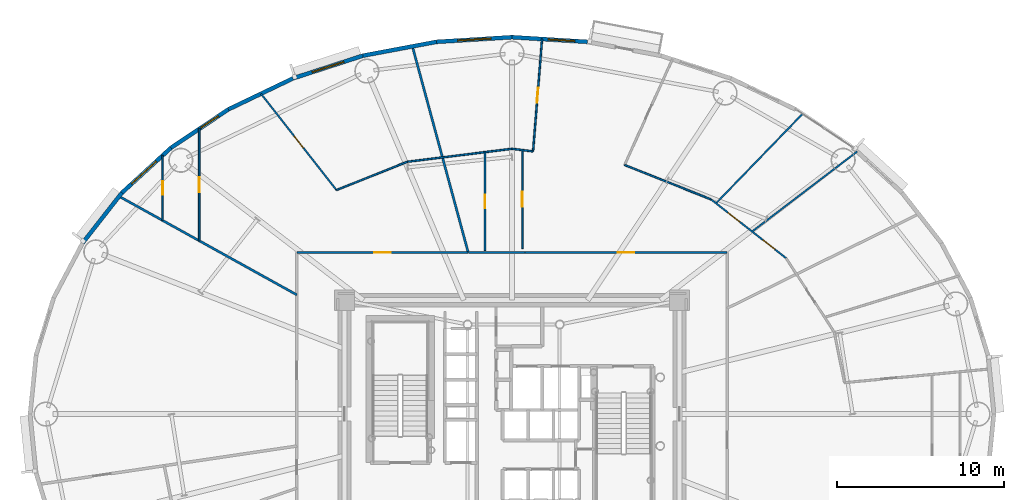
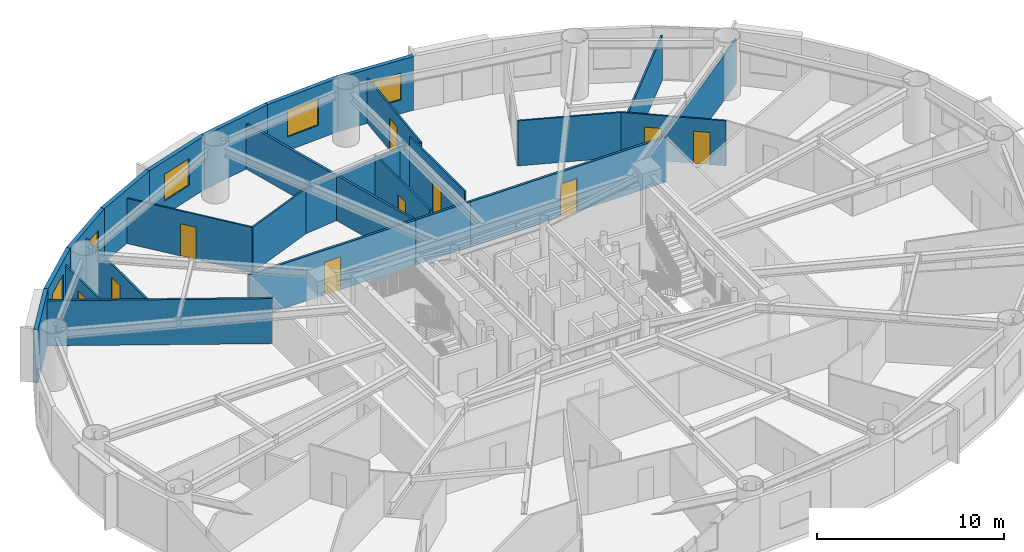
# One storey, part 15 of 21: 26 walls, 10 doors, 5 windows, 15 openings.
"""IFC4 building model written with IfcOpenShell, lengths in metres."""

import ifcopenshell
import ifcopenshell.guid

model = None  # the IFC model being written
_history = None  # IfcOwnerHistory: only IFC2X3 demands one
_inside = {}  # id of a spatial element -> (the spatial element, [elements in it])
_under = {}  # id of a project, library or spatial element -> (it, [spatial elements below it])
_declared = {}  # id of a project -> (the project, [libraries it declares])
_typed = {}  # id of a type object -> (the type object, [elements of that type])
_made_of = {}  # id of a material, layer set ... -> (it, [elements and type objects made of it])


def new_model(schema):
    """Start an empty IFC model of exactly this schema.

    Asked for "IFC4X3", IfcOpenShell would pick the latest addendum, in which some entities
    have other attributes; the version numbers below select the first issue.
    IFC2X3 requires an IfcOwnerHistory on every rooted entity: one is made here for all.
    """
    global model, _history
    if schema == "IFC4X3":
        model = ifcopenshell.file(schema_version=(4, 3, 0, 0))
    else:
        model = ifcopenshell.file(schema=schema)
    _inside.clear()
    _under.clear()
    _declared.clear()
    _typed.clear()
    _made_of.clear()
    _history = None
    if model.schema == "IFC2X3":
        org = make("IfcOrganization", Name="unknown")
        user = make(
            "IfcPersonAndOrganization",
            ThePerson=make("IfcPerson", FamilyName="unknown"),
            TheOrganization=org,
        )
        app = make(
            "IfcApplication",
            ApplicationDeveloper=org,
            Version="unknown",
            ApplicationFullName="unknown",
            ApplicationIdentifier="unknown",
        )
        _history = make(
            "IfcOwnerHistory",
            OwningUser=user,
            OwningApplication=app,
            ChangeAction="ADDED",
            CreationDate=0,
        )
    return model


def make(cls, **values):
    """One entity of the class cls with the attributes given. An attribute that is None is left unset."""
    return model.create_entity(
        cls, **{name: value for name, value in values.items() if value is not None}
    )


def rooted(cls, **values):
    """An entity with a GlobalId (a new one), such as an element, a storey or a relation."""
    return make(cls, GlobalId=ifcopenshell.guid.new(), OwnerHistory=_history, **values)


def si_unit(unit_type, name, prefix=None):
    """IfcSIUnit, for example si_unit("LENGTHUNIT", "METRE", prefix="MILLI")."""
    return make("IfcSIUnit", UnitType=unit_type, Prefix=prefix, Name=name)


def assignment(units):
    """IfcUnitAssignment: the units of a project."""
    return None if units is None else make("IfcUnitAssignment", Units=units)


def point(xyz):
    """IfcCartesianPoint."""
    return None if xyz is None else make("IfcCartesianPoint", Coordinates=xyz)


def direction(xyz):
    """IfcDirection."""
    return None if xyz is None else make("IfcDirection", DirectionRatios=xyz)


def frame(location, z_axis=None, x_axis=None):
    """IfcAxis2Placement3D, a coordinate frame: its origin and axes. An axis left out is left unset."""
    return make(
        "IfcAxis2Placement3D",
        Location=point(location),
        Axis=direction(z_axis),
        RefDirection=direction(x_axis),
    )


def frame_2d(location, x_axis=None):
    """IfcAxis2Placement2D, a coordinate frame in the plane: its origin and x axis."""
    return make(
        "IfcAxis2Placement2D", Location=point(location), RefDirection=direction(x_axis)
    )


def origin():
    """The frame at (0, 0, 0) with its axes left unset."""
    return frame((0.0, 0.0, 0.0))


def origin_2d():
    """The frame at (0, 0) in the plane with its x axis left unset."""
    return frame_2d((0.0, 0.0))


def place(relative_to, where):
    """IfcLocalPlacement: puts the frame where relative to a parent placement (None: the world)."""
    return make(
        "IfcLocalPlacement", PlacementRelTo=relative_to, RelativePlacement=where
    )


def context(
    kind, dimensions, precision=None, world=None, true_north=None, identifier=None
):
    """IfcGeometricRepresentationContext, for example the 3D "Model" context."""
    return make(
        "IfcGeometricRepresentationContext",
        ContextIdentifier=identifier,
        ContextType=kind,
        CoordinateSpaceDimension=dimensions,
        Precision=precision,
        WorldCoordinateSystem=world,
        TrueNorth=true_north,
    )


def subcontext(parent, identifier, kind, view, scale=None):
    """IfcGeometricRepresentationSubContext, for example "Body" below "Model"."""
    return make(
        "IfcGeometricRepresentationSubContext",
        ContextIdentifier=identifier,
        ContextType=kind,
        ParentContext=parent,
        TargetScale=scale,
        TargetView=view,
    )


def project(units=None, contexts=None):
    """IfcProject with its units and contexts."""
    return rooted(
        "IfcProject",
        Name="project",
        RepresentationContexts=contexts,
        UnitsInContext=assignment(units),
    )


def spatial(cls, under=None, at=None, **own):
    """A site, building, storey or space (cls), placed at a placement, below another one or the project."""
    s = rooted(cls, ObjectPlacement=at, **own)
    if under is not None:
        _under.setdefault(under.id(), (under, []))[1].append(s)
    return s


def profile(cls, at=None, kind="AREA", **sizes):
    """A parametric profile (cls). Its sizes go by their IFC names, for example OverallWidth=200.0."""
    return make(cls, ProfileType=kind, Position=at, **sizes)


def rectangle(**sizes):
    """IfcRectangleProfileDef."""
    return profile("IfcRectangleProfileDef", **sizes)


def extrude(swept, where, along, depth):
    """IfcExtrudedAreaSolid: the profile swept, set in the frame where, extruded along a direction by depth."""
    return make(
        "IfcExtrudedAreaSolid",
        SweptArea=swept,
        Position=where,
        ExtrudedDirection=direction(along),
        Depth=depth,
    )


def shape(context_of_items, identifier, shape_type, items):
    """IfcShapeRepresentation: the items that make up one representation, for example the "Body"."""
    return make(
        "IfcShapeRepresentation",
        ContextOfItems=context_of_items,
        RepresentationIdentifier=identifier,
        RepresentationType=shape_type,
        Items=items,
    )


def source(mapping_origin, context_of_items, identifier, shape_type, items):
    """IfcRepresentationMap: a shape defined once, which mapped items show again and again."""
    return make(
        "IfcRepresentationMap",
        MappingOrigin=mapping_origin,
        MappedRepresentation=shape(context_of_items, identifier, shape_type, items),
    )


def transform(
    local_origin,
    x_axis=None,
    y_axis=None,
    z_axis=None,
    scale=None,
    scale2=None,
    scale3=None,
    uniform=True,
):
    """IfcCartesianTransformationOperator3D, or its non-uniform kind. x_axis, y_axis, z_axis: its Axis1, 2, 3."""
    if uniform:
        return make(
            "IfcCartesianTransformationOperator3D",
            Axis1=direction(x_axis),
            Axis2=direction(y_axis),
            LocalOrigin=point(local_origin),
            Scale=scale,
            Axis3=direction(z_axis),
        )
    return make(
        "IfcCartesianTransformationOperator3DnonUniform",
        Axis1=direction(x_axis),
        Axis2=direction(y_axis),
        LocalOrigin=point(local_origin),
        Scale=scale,
        Axis3=direction(z_axis),
        Scale2=scale2,
        Scale3=scale3,
    )


def mapped(mapping_source, mapping_target):
    """IfcMappedItem: shows the shape of a source again, moved by a transform."""
    return make(
        "IfcMappedItem", MappingSource=mapping_source, MappingTarget=mapping_target
    )


def material(Name=None, Category=None):
    """IfcMaterial."""
    return make("IfcMaterial", Name=Name, Category=Category)


def layer(
    of_material, thickness, ventilated=None, Name=None, Category=None, Priority=None
):
    """IfcMaterialLayer: one layer of a wall or slab, of a material (None: an air gap)."""
    return make(
        "IfcMaterialLayer",
        Material=of_material,
        LayerThickness=thickness,
        IsVentilated=ventilated,
        Name=Name,
        Category=Category,
        Priority=Priority,
    )


def layer_set(layers, Name=None):
    """IfcMaterialLayerSet."""
    return make("IfcMaterialLayerSet", MaterialLayers=layers, LayerSetName=Name)


def made_of(thing, what):
    """Note that an element or type object is made of a material, layer set ...; save() writes the relation."""
    if what is not None:
        _made_of.setdefault(what.id(), (what, []))[1].append(thing)
    return thing


def type_object(cls, material=None, **own):
    """A type object (cls), such as IfcWallType, which elements share."""
    return made_of(rooted(cls, **own), material)


def element(
    cls,
    number,
    at=None,
    inside=None,
    cuts=None,
    type_object=None,
    material=None,
    context=None,
    identifier="Body",
    shape_type=None,
    held_by="IfcProductDefinitionShape",
    body=None,
    shapes=None,
    **own,
):
    """One element of the class cls, such as IfcWall. Its Tag is "e" and its number.

    at: its placement. inside: the storey or other place that contains it. cuts: it is an
    opening in that element (IfcRelVoidsElement). A single representation is given by context,
    identifier, shape_type and body (its items); several are given by shapes. held_by: the class
    of the entity that holds the representations. save() writes the other relations.
    """
    e = rooted(cls, Tag="e%d" % number, ObjectPlacement=at, **own)
    if body is not None:
        shapes = [shape(context, identifier, shape_type, body)]
    if shapes is not None:
        e.Representation = make(held_by, Representations=shapes)
    if inside is not None:
        _inside.setdefault(inside.id(), (inside, []))[1].append(e)
    if cuts is not None:
        rooted(
            "IfcRelVoidsElement", RelatingBuildingElement=cuts, RelatedOpeningElement=e
        )
    if type_object is not None:
        _typed.setdefault(type_object.id(), (type_object, []))[1].append(e)
    return made_of(e, material)


def fill(opening, filler):
    """IfcRelFillsElement: the door or window that sits in an opening."""
    return rooted(
        "IfcRelFillsElement",
        RelatingOpeningElement=opening,
        RelatedBuildingElement=filler,
    )


def aggregate(whole, parts):
    """IfcRelAggregates: a whole, such as a stair, and the parts it consists of."""
    return rooted("IfcRelAggregates", RelatingObject=whole, RelatedObjects=parts)


def save(model, path):
    """Write the relations noted so far, then the file.

    IfcRelAggregates (storeys below a building ...), IfcRelContainedInSpatialStructure (elements
    in a storey), IfcRelDefinesByType, IfcRelAssociatesMaterial and IfcRelDeclares: one each for
    every whole, place, type object, material and project.
    """
    for whole, parts in _under.values():
        aggregate(whole, parts)
    for where, things in _inside.values():
        rooted(
            "IfcRelContainedInSpatialStructure",
            RelatedElements=things,
            RelatingStructure=where,
        )
    for kind, things in _typed.values():
        rooted("IfcRelDefinesByType", RelatedObjects=things, RelatingType=kind)
    for what, things in _made_of.values():
        rooted("IfcRelAssociatesMaterial", RelatedObjects=things, RelatingMaterial=what)
    for by, libraries in _declared.values():
        rooted("IfcRelDeclares", RelatingContext=by, RelatedDefinitions=libraries)
    model.write(path)


model = new_model("IFC4")

# Units and contexts
model_context = context("Model", 3, precision=1e-05, world=origin(), true_north=direction((0.0, 1.0)))
body_context = subcontext(model_context, "Body", "Model", "MODEL_VIEW")
ifc_project = project(units=[si_unit("LENGTHUNIT", "METRE"), si_unit("AREAUNIT", "SQUARE_METRE"), si_unit("VOLUMEUNIT", "CUBIC_METRE"), si_unit("PLANEANGLEUNIT", "RADIAN"), si_unit("MASSUNIT", "GRAM", prefix="KILO")], contexts=[model_context])

# Site, building, storey
site_placement = place(None, origin())
site = spatial("IfcSite", under=ifc_project, at=site_placement, CompositionType="ELEMENT")
building_placement = place(site_placement, origin())
building = spatial("IfcBuilding", under=site, at=building_placement, Name="Linh Dai School and Residence Tower", CompositionType="ELEMENT")
storey_placement = place(building_placement, frame((0.0, 0.0, 134.699951171875)))
storey = spatial("IfcBuildingStorey", under=building, at=storey_placement, Name="L32", CompositionType="ELEMENT", Elevation=134.699951171875)

# Wall, opening, window
ifc_material_1 = material(Name="Precast Concrete B45 (C35/45)", Category="concrete")
ifc_layer_1 = layer(ifc_material_1, 0.239990234375)
ifc_layer_set_1 = layer_set([ifc_layer_1], Name="Precast Concrete B45 (C35/45)")
wall_type_1 = type_object("IfcWallType", Name="EW-TC-240", PredefinedType="SOLIDWALL", material=ifc_layer_set_1)
wall_1_placement = place(storey_placement, frame((36.0, 49.5048828125, 0.0), z_axis=(0.0, 0.0, 1.0), x_axis=(0.998107531589, -0.061492726276, 0.0)))
wall_1 = element("IfcWall", 1, at=wall_1_placement, inside=storey, type_object=wall_type_1, Name="L32 Terracotta Exterior Wall 10", PredefinedType="SOLIDWALL", context=body_context, shape_type="SweptSolid", body=[
    extrude(rectangle(XDim=4.51416015625, YDim=0.239990234375, at=frame_2d((2.257080078125, 0.0))), origin(), (0.0, 0.0, 1.0), 3.5),
])
opening_1_placement = place(wall_1_placement, frame((2.161376953125, 0.0, 0.89990234375)))
opening_1 = element("IfcOpeningElement", 2, at=opening_1_placement, cuts=wall_1, Name="Opening W2", PredefinedType="OPENING", context=body_context, shape_type="SweptSolid", body=[
    extrude(rectangle(XDim=1.60009765625, YDim=1.75, at=origin_2d()), frame((0.800048828125, 0.1298828125, 0.875), z_axis=(0.0, -1.0, 0.0), x_axis=(1.0, 0.0, 0.0)), (0.0, 0.0, 1.0), 0.260009765625),
])
ifc_material_2 = material(Name="Double Low-E Insulated Glazing", Category="glass")
window_type_1 = type_object("IfcWindowType", Name="WN-RES-1600x1750", PartitioningType="DOUBLE_PANEL_VERTICAL", PredefinedType="WINDOW", material=ifc_material_2)
shared_shape_1 = source(origin(), body_context, "Body", "SweptSolid", [
    extrude(rectangle(XDim=1.60009765625, YDim=1.75, at=origin_2d()), frame((0.800048828125, 0.030029296875, 0.875), z_axis=(0.0, -1.0, 0.0), x_axis=(1.0, 0.0, 0.0)), (0.0, 0.0, 1.0), 0.06005859375),
])
window_1_placement = place(opening_1_placement, origin())
window_1 = element("IfcWindow", 3, at=window_1_placement, inside=storey, type_object=window_type_1, Name="L32 Exterior Window 10.1", OverallHeight=1.75, OverallWidth=1.60009765625, PartitioningType="DOUBLE_PANEL_VERTICAL", PredefinedType="WINDOW", context=body_context, shape_type="MappedRepresentation", body=[
    mapped(shared_shape_1, transform((0.0, 0.0, 0.0), x_axis=(1.0, 0.0, 0.0), y_axis=(0.0, 1.0, 0.0), z_axis=(0.0, 0.0, 1.0), scale=1.0)),
])
fill(opening_1, window_1)

wall_2_placement = place(storey_placement, frame((31.494384765625, 49.227294921875, 0.0), z_axis=(0.0, 0.0, 1.0), x_axis=(0.998107531589, 0.061492726276, 0.0)))
wall_2 = element("IfcWall", 4, at=wall_2_placement, inside=storey, type_object=wall_type_1, Name="L32 Terracotta Exterior Wall 11", PredefinedType="SOLIDWALL", context=body_context, shape_type="SweptSolid", body=[
    extrude(rectangle(XDim=4.51416015625, YDim=0.239990234375, at=frame_2d((2.257080078125, 0.0))), origin(), (0.0, 0.0, 1.0), 3.5),
])
opening_2_placement = place(wall_2_placement, frame((1.257080078125, 0.0, 0.89990234375)))
opening_2 = element("IfcOpeningElement", 5, at=opening_2_placement, cuts=wall_2, Name="Opening W1", PredefinedType="OPENING", context=body_context, shape_type="SweptSolid", body=[
    extrude(rectangle(XDim=2.0, YDim=1.75, at=origin_2d()), frame((1.0, 0.1298828125, 0.875), z_axis=(0.0, -1.0, 0.0), x_axis=(1.0, 0.0, 0.0)), (0.0, 0.0, 1.0), 0.260009765625),
])
window_type_2 = type_object("IfcWindowType", Name="WN-RES-2000x1750", PartitioningType="DOUBLE_PANEL_VERTICAL", PredefinedType="WINDOW", material=ifc_material_2)
shared_shape_2 = source(origin(), body_context, "Body", "SweptSolid", [
    extrude(rectangle(XDim=2.0, YDim=1.75, at=origin_2d()), frame((1.0, 0.030029296875, 0.875), z_axis=(0.0, -1.0, 0.0), x_axis=(1.0, 0.0, 0.0)), (0.0, 0.0, 1.0), 0.06005859375),
])
window_2_placement = place(opening_2_placement, origin())
window_2 = element("IfcWindow", 6, at=window_2_placement, inside=storey, type_object=window_type_2, Name="L32 Exterior Window 11.1", OverallHeight=1.75, OverallWidth=2.0, PartitioningType="DOUBLE_PANEL_VERTICAL", PredefinedType="WINDOW", context=body_context, shape_type="MappedRepresentation", body=[
    mapped(shared_shape_2, transform((0.0, 0.0, 0.0), x_axis=(1.0, 0.0, 0.0), y_axis=(0.0, 1.0, 0.0), z_axis=(0.0, 0.0, 1.0), scale=1.0)),
])
fill(opening_2, window_2)

# Wall
wall_3_placement = place(storey_placement, frame((27.100341796875, 48.4013671875, 0.0), z_axis=(0.0, 0.0, 1.0), x_axis=(0.982789252177, 0.184730305596, 0.0)))
element("IfcWall", 7, at=wall_3_placement, inside=storey, type_object=wall_type_1, Name="L32 Terracotta Exterior Wall 12", PredefinedType="SOLIDWALL", context=body_context, shape_type="SweptSolid", body=[
    extrude(rectangle(XDim=4.470947265625, YDim=0.239990234375, at=frame_2d((2.2353515625, 0.0))), origin(), (0.0, 0.0, 1.0), 3.5),
])

# Wall, opening, window
wall_4_placement = place(storey_placement, frame((22.926025390625, 47.04736328125, 0.0), z_axis=(0.0, 0.0, 1.0), x_axis=(0.951211346073, 0.308540070495, 0.0)))
wall_4 = element("IfcWall", 8, at=wall_4_placement, inside=storey, type_object=wall_type_1, Name="L32 Terracotta Exterior Wall 13", PredefinedType="SOLIDWALL", context=body_context, shape_type="SweptSolid", body=[
    extrude(rectangle(XDim=4.388427734375, YDim=0.239990234375, at=frame_2d((2.1943359375, 0.0))), origin(), (0.0, 0.0, 1.0), 3.5),
])
opening_3_placement = place(wall_4_placement, frame((1.1943359375, 0.0, 0.89990234375)))
opening_3 = element("IfcOpeningElement", 9, at=opening_3_placement, cuts=wall_4, Name="Opening W1", PredefinedType="OPENING", context=body_context, shape_type="SweptSolid", body=[
    extrude(rectangle(XDim=2.0, YDim=1.75, at=origin_2d()), frame((1.0, 0.1298828125, 0.875), z_axis=(0.0, -1.0, 0.0), x_axis=(1.0, 0.0, 0.0)), (0.0, 0.0, 1.0), 0.260009765625),
])
window_3_placement = place(opening_3_placement, origin())
window_3 = element("IfcWindow", 10, at=window_3_placement, inside=storey, type_object=window_type_2, Name="L32 Exterior Window 13.1", OverallHeight=1.75, OverallWidth=2.0, PartitioningType="DOUBLE_PANEL_VERTICAL", PredefinedType="WINDOW", context=body_context, shape_type="MappedRepresentation", body=[
    mapped(shared_shape_2, transform((0.0, 0.0, 0.0), x_axis=(1.0, 0.0, 0.0), y_axis=(0.0, 1.0, 0.0), z_axis=(0.0, 0.0, 1.0), scale=1.0)),
])
fill(opening_3, window_3)

# Wall
wall_5_placement = place(storey_placement, frame((19.07470703125, 45.199462890625, 0.0), z_axis=(0.0, 0.0, 1.0), x_axis=(0.901589935876, 0.432591709962, 0.0)))
element("IfcWall", 11, at=wall_5_placement, inside=storey, type_object=wall_type_1, Name="L32 Terracotta Exterior Wall 14", PredefinedType="SOLIDWALL", context=body_context, shape_type="SweptSolid", body=[
    extrude(rectangle(XDim=4.271728515625, YDim=0.239990234375, at=frame_2d((2.1357421875, 0.0))), origin(), (0.0, 0.0, 1.0), 3.5),
])

# Wall, opening, window
wall_6_placement = place(storey_placement, frame((15.6416015625, 42.9033203125, 0.0), z_axis=(0.0, 0.0, 1.0), x_axis=(0.831221811447, 0.555940914284, 0.0)))
wall_6 = element("IfcWall", 12, at=wall_6_placement, inside=storey, type_object=wall_type_1, Name="L32 Terracotta Exterior Wall 15", PredefinedType="SOLIDWALL", context=body_context, shape_type="SweptSolid", body=[
    extrude(rectangle(XDim=4.130126953125, YDim=0.239990234375, at=frame_2d((2.06494140625, 0.0))), origin(), (0.0, 0.0, 1.0), 3.5),
])
opening_4_placement = place(wall_6_placement, frame((2.155517578125, 0.0, 0.89990234375)))
opening_4 = element("IfcOpeningElement", 13, at=opening_4_placement, cuts=wall_6, Name="Opening W3", PredefinedType="OPENING", context=body_context, shape_type="SweptSolid", body=[
    extrude(rectangle(XDim=1.25, YDim=1.64990234375, at=origin_2d()), frame((0.625, 0.1298828125, 0.824951171875), z_axis=(0.0, -1.0, 0.0), x_axis=(1.0, 0.0, 0.0)), (0.0, 0.0, 1.0), 0.260009765625),
])
window_type_3 = type_object("IfcWindowType", Name="WN-RES-1250x1650", PartitioningType="SINGLE_PANEL", PredefinedType="WINDOW", material=ifc_material_2)
shared_shape_3 = source(origin(), body_context, "Body", "SweptSolid", [
    extrude(rectangle(XDim=1.25, YDim=1.64990234375, at=origin_2d()), frame((0.625, 0.030029296875, 0.824951171875), z_axis=(0.0, -1.0, 0.0), x_axis=(1.0, 0.0, 0.0)), (0.0, 0.0, 1.0), 0.06005859375),
])
window_4_placement = place(opening_4_placement, origin())
window_4 = element("IfcWindow", 14, at=window_4_placement, inside=storey, type_object=window_type_3, Name="L32 Dwelling Window U3205-LIV", OverallHeight=1.64990234375, OverallWidth=1.25, PartitioningType="SINGLE_PANEL", PredefinedType="WINDOW", context=body_context, shape_type="MappedRepresentation", body=[
    mapped(shared_shape_3, transform((0.0, 0.0, 0.0), x_axis=(1.0, 0.0, 0.0), y_axis=(0.0, 1.0, 0.0), z_axis=(0.0, 0.0, 1.0), scale=1.0)),
])
fill(opening_4, window_4)

wall_7_placement = place(storey_placement, frame((12.7109375, 40.216552734375, 0.0), z_axis=(0.0, 0.0, 1.0), x_axis=(0.737113356241, 0.675769117414, 0.0)))
wall_7 = element("IfcWall", 15, at=wall_7_placement, inside=storey, type_object=wall_type_1, Name="L32 Terracotta Exterior Wall 16", PredefinedType="SOLIDWALL", context=body_context, shape_type="SweptSolid", body=[
    extrude(rectangle(XDim=3.975830078125, YDim=0.239990234375, at=frame_2d((1.98779296875, 0.0))), origin(), (0.0, 0.0, 1.0), 3.5),
])
opening_5_placement = place(wall_7_placement, frame((0.78662109375, 0.0, 0.89990234375)))
opening_5 = element("IfcOpeningElement", 16, at=opening_5_placement, cuts=wall_7, Name="Opening W1", PredefinedType="OPENING", context=body_context, shape_type="SweptSolid", body=[
    extrude(rectangle(XDim=2.0, YDim=1.75, at=origin_2d()), frame((1.0, 0.1298828125, 0.875), z_axis=(0.0, -1.0, 0.0), x_axis=(1.0, 0.0, 0.0)), (0.0, 0.0, 1.0), 0.260009765625),
])
window_5_placement = place(opening_5_placement, origin())
window_5 = element("IfcWindow", 17, at=window_5_placement, inside=storey, type_object=window_type_2, Name="L32 Exterior Window 16.1", OverallHeight=1.75, OverallWidth=2.0, PartitioningType="DOUBLE_PANEL_VERTICAL", PredefinedType="WINDOW", context=body_context, shape_type="MappedRepresentation", body=[
    mapped(shared_shape_2, transform((0.0, 0.0, 0.0), x_axis=(1.0, 0.0, 0.0), y_axis=(0.0, 1.0, 0.0), z_axis=(0.0, 0.0, 1.0), scale=1.0)),
])
fill(opening_5, window_5)

# Walls
wall_8_placement = place(storey_placement, frame((10.354736328125, 37.20556640625, 0.0), z_axis=(0.0, 0.0, 1.0), x_axis=(0.616272103517, 0.787533297345, 0.0)))
element("IfcWall", 18, at=wall_8_placement, inside=storey, type_object=wall_type_1, Name="L32 Terracotta Exterior Wall 17", PredefinedType="SOLIDWALL", context=body_context, shape_type="SweptSolid", body=[
    extrude(rectangle(XDim=3.8232421875, YDim=0.239990234375, at=frame_2d((1.91162109375, 0.0))), origin(), (0.0, 0.0, 1.0), 3.5),
])
ifc_material_3 = material(Name="Autoclaved Aerated Concrete Blockwork", Category="masonry")
ifc_layer_2 = layer(ifc_material_3, 0.135009765625)
ifc_layer_set_2 = layer_set([ifc_layer_2], Name="Autoclaved Aerated Concrete Blockwork")
wall_type_2 = type_object("IfcWallType", Name="IW-CORR-135-EI90", PredefinedType="PARTITIONING", material=ifc_layer_set_2)
wall_9_placement = place(storey_placement, frame((12.538818359375, 40.004638671875, 0.0), z_axis=(0.0, 0.0, 1.0), x_axis=(0.874619146564, -0.484810631549, 0.0)))
element("IfcWall", 19, at=wall_9_placement, inside=storey, type_object=wall_type_2, Name="L32 Interior Partition Wall 003", PredefinedType="PARTITIONING", context=body_context, shape_type="SweptSolid", body=[
    extrude(rectangle(XDim=12.13232421875, YDim=0.135009765625, at=frame_2d((6.066162109375, 0.0))), origin(), (0.0, 0.0, 1.0), 2.93505859375),
])

# Wall, opening, door
wall_10_placement = place(storey_placement, frame((23.14990234375, 36.64990234375, 0.0), z_axis=(0.0, 0.0, 1.0), x_axis=(1.0, 0.0, 0.0)))
wall_10 = element("IfcWall", 20, at=wall_10_placement, inside=storey, type_object=wall_type_2, Name="L32 Interior Partition Wall 017", PredefinedType="PARTITIONING", context=body_context, shape_type="SweptSolid", body=[
    extrude(rectangle(XDim=10.236328125, YDim=0.135009765625, at=frame_2d((5.1181640625, 0.0))), origin(), (0.0, 0.0, 1.0), 2.93505859375),
])
opening_6_placement = place(wall_10_placement, frame((4.6181640625, 0.0, 0.0)))
opening_6 = element("IfcOpeningElement", 21, at=opening_6_placement, cuts=wall_10, Name="Opening D03", PredefinedType="OPENING", context=body_context, shape_type="SweptSolid", body=[
    extrude(rectangle(XDim=1.0, YDim=2.14990234375, at=origin_2d()), frame((0.5, 0.07763671875, 1.074951171875), z_axis=(0.0, -1.0, 0.0), x_axis=(1.0, 0.0, 0.0)), (0.0, 0.0, 1.0), 0.155029296875),
])
ifc_material_4 = material(Name="Fire-Rated Solid Timber Entrance Door", Category="wood")
door_type_1 = type_object("IfcDoorType", Name="DR-FLAT-1000x2150-FD60S", OperationType="NOTDEFINED", PredefinedType="DOOR", material=ifc_material_4)
shared_shape_4 = source(origin(), body_context, "Body", "SweptSolid", [
    extrude(rectangle(XDim=1.0, YDim=2.14990234375, at=origin_2d()), frame((0.5, 0.02490234375, 1.074951171875), z_axis=(0.0, -1.0, 0.0), x_axis=(1.0, 0.0, 0.0)), (0.0, 0.0, 1.0), 0.050048828125),
])
door_1_placement = place(opening_6_placement, origin())
door_1 = element("IfcDoor", 22, at=door_1_placement, inside=storey, type_object=door_type_1, Name="L32 U3205 Apartment Entrance Door", OperationType="SINGLE_SWING_RIGHT", OverallHeight=2.14990234375, OverallWidth=1.0, PredefinedType="DOOR", context=body_context, shape_type="MappedRepresentation", body=[
    mapped(shared_shape_4, transform((0.0, 0.0, 0.0), x_axis=(1.0, 0.0, 0.0), y_axis=(0.0, 1.0, 0.0), z_axis=(0.0, 0.0, 1.0), scale=1.0)),
])
fill(opening_6, door_1)

# Wall
wall_11_placement = place(storey_placement, frame((30.0517578125, 48.961181640625, 0.0), z_axis=(0.0, 0.0, 1.0), x_axis=(0.261432565902, -0.965221743169, 0.0)))
element("IfcWall", 23, at=wall_11_placement, inside=storey, type_object=wall_type_2, Name="L32 Interior Partition Wall 024", PredefinedType="PARTITIONING", context=body_context, shape_type="SweptSolid", body=[
    extrude(rectangle(XDim=12.754638671875, YDim=0.135009765625, at=frame_2d((6.37744140625, 0.0))), origin(), (0.0, 0.0, 1.0), 2.93505859375),
])

# Wall, opening, door
wall_12_placement = place(storey_placement, frame((36.773681640625, 36.64990234375, 0.0), z_axis=(0.0, 0.0, 1.0), x_axis=(1.0, 0.0, 0.0)))
wall_12 = element("IfcWall", 24, at=wall_12_placement, inside=storey, type_object=wall_type_2, Name="L32 Interior Partition Wall 053", PredefinedType="PARTITIONING", context=body_context, shape_type="SweptSolid", body=[
    extrude(rectangle(XDim=12.076416015625, YDim=0.135009765625, at=frame_2d((6.0380859375, 0.0))), origin(), (0.0, 0.0, 1.0), 2.93505859375),
])
opening_7_placement = place(wall_12_placement, frame((5.5380859375, 0.0, 0.0)))
opening_7 = element("IfcOpeningElement", 25, at=opening_7_placement, cuts=wall_12, Name="Opening D03", PredefinedType="OPENING", context=body_context, shape_type="SweptSolid", body=[
    extrude(rectangle(XDim=1.0, YDim=2.14990234375, at=origin_2d()), frame((0.5, 0.07763671875, 1.074951171875), z_axis=(0.0, -1.0, 0.0), x_axis=(1.0, 0.0, 0.0)), (0.0, 0.0, 1.0), 0.155029296875),
])
door_2_placement = place(opening_7_placement, origin())
door_2 = element("IfcDoor", 26, at=door_2_placement, inside=storey, type_object=door_type_1, Name="L32 U3204 Apartment Entrance Door", OperationType="SINGLE_SWING_LEFT", OverallHeight=2.14990234375, OverallWidth=1.0, PredefinedType="DOOR", context=body_context, shape_type="MappedRepresentation", body=[
    mapped(shared_shape_4, transform((0.0, 0.0, 0.0), x_axis=(1.0, 0.0, 0.0), y_axis=(0.0, 1.0, 0.0), z_axis=(0.0, 0.0, 1.0), scale=1.0)),
])
fill(opening_7, door_2)

# Wall
wall_13_placement = place(storey_placement, frame((33.396240234375, 36.64990234375, 0.0), z_axis=(0.0, 0.0, 1.0), x_axis=(1.0, 0.0, 0.0)))
element("IfcWall", 27, at=wall_13_placement, inside=storey, type_object=wall_type_2, Name="L32 Interior Partition Wall 103", PredefinedType="PARTITIONING", context=body_context, shape_type="SweptSolid", body=[
    extrude(rectangle(XDim=3.367431640625, YDim=0.135009765625, at=frame_2d((1.68359375, 0.0))), origin(), (0.0, 0.0, 1.0), 2.93505859375),
])

# Wall, opening, door
ifc_material_5 = material(Name="Gypsum Plasterboard Acoustic Stud Partition", Category="masonry")
ifc_layer_3 = layer(ifc_material_5, 0.10009765625)
ifc_layer_set_3 = layer_set([ifc_layer_3], Name="Gypsum Plasterboard Acoustic Stud Partition")
wall_type_3 = type_object("IfcWallType", Name="IW-UNIT-100", PredefinedType="PARTITIONING", material=ifc_layer_set_3)
wall_14_placement = place(storey_placement, frame((15.1416015625, 38.56201171875, 0.0), z_axis=(0.0, 0.0, 1.0), x_axis=(0.0, 1.0, 0.0)))
wall_14 = element("IfcWall", 28, at=wall_14_placement, inside=storey, type_object=wall_type_3, Name="L32 Interior Partition Wall 005", PredefinedType="PARTITIONING", context=body_context, shape_type="SweptSolid", body=[
    extrude(rectangle(XDim=3.8896484375, YDim=0.10009765625, at=frame_2d((1.94482421875, 0.0))), origin(), (0.0, 0.0, 1.0), 2.93505859375),
])
opening_8_placement = place(wall_14_placement, frame((1.534912109375, 0.0, 0.0)))
opening_8 = element("IfcOpeningElement", 29, at=opening_8_placement, cuts=wall_14, Name="Opening D06", PredefinedType="OPENING", context=body_context, shape_type="SweptSolid", body=[
    extrude(rectangle(XDim=0.820068359375, YDim=2.10009765625, at=origin_2d()), frame((0.41015625, 0.06005859375, 1.050048828125), z_axis=(0.0, -1.0, 0.0), x_axis=(1.0, 0.0, 0.0)), (0.0, 0.0, 1.0), 0.1201171875),
])
ifc_material_6 = material(Name="Moisture-Resistant Timber Bathroom Door", Category="wood")
door_type_2 = type_object("IfcDoorType", Name="DR-WET-820x2100", OperationType="NOTDEFINED", PredefinedType="DOOR", material=ifc_material_6)
shared_shape_5 = source(origin(), body_context, "Body", "SweptSolid", [
    extrude(rectangle(XDim=0.820068359375, YDim=2.10009765625, at=origin_2d()), frame((0.41015625, 0.02490234375, 1.050048828125), z_axis=(0.0, -1.0, 0.0), x_axis=(1.0, 0.0, 0.0)), (0.0, 0.0, 1.0), 0.050048828125),
])
door_3_placement = place(opening_8_placement, origin())
door_3 = element("IfcDoor", 30, at=door_3_placement, inside=storey, type_object=door_type_2, Name="L32 Apartment U3205 Bathroom 1 Door", OperationType="SINGLE_SWING_LEFT", OverallHeight=2.10009765625, OverallWidth=0.820068359375, PredefinedType="DOOR", context=body_context, shape_type="MappedRepresentation", body=[
    mapped(shared_shape_5, transform((0.0, 0.0, 0.0), x_axis=(1.0, 0.0, 0.0), y_axis=(0.0, 1.0, 0.0), z_axis=(0.0, 0.0, 1.0), scale=1.0)),
])
fill(opening_8, door_3)

wall_15_placement = place(storey_placement, frame((17.330810546875, 37.348388671875, 0.0), z_axis=(0.0, 0.0, 1.0), x_axis=(0.0, 1.0, 0.0)))
wall_15 = element("IfcWall", 31, at=wall_15_placement, inside=storey, type_object=wall_type_3, Name="L32 Interior Partition Wall 009", PredefinedType="PARTITIONING", context=body_context, shape_type="SweptSolid", body=[
    extrude(rectangle(XDim=6.690673828125, YDim=0.10009765625, at=frame_2d((3.34521484375, 0.0))), origin(), (0.0, 0.0, 1.0), 2.93505859375),
])
opening_9_placement = place(wall_15_placement, frame((2.895263671875, 0.0, 0.0)))
opening_9 = element("IfcOpeningElement", 32, at=opening_9_placement, cuts=wall_15, Name="Opening D05", PredefinedType="OPENING", context=body_context, shape_type="SweptSolid", body=[
    extrude(rectangle(XDim=0.89990234375, YDim=2.10009765625, at=origin_2d()), frame((0.449951171875, 0.06005859375, 1.050048828125), z_axis=(0.0, -1.0, 0.0), x_axis=(1.0, 0.0, 0.0)), (0.0, 0.0, 1.0), 0.1201171875),
])
ifc_material_7 = material(Name="Engineered Timber Internal Door", Category="wood")
door_type_3 = type_object("IfcDoorType", Name="DR-INT-900x2100", OperationType="NOTDEFINED", PredefinedType="DOOR", material=ifc_material_7)
shared_shape_6 = source(origin(), body_context, "Body", "SweptSolid", [
    extrude(rectangle(XDim=0.89990234375, YDim=2.10009765625, at=origin_2d()), frame((0.449951171875, 0.02490234375, 1.050048828125), z_axis=(0.0, -1.0, 0.0), x_axis=(1.0, 0.0, 0.0)), (0.0, 0.0, 1.0), 0.050048828125),
])
door_4_placement = place(opening_9_placement, origin())
door_4 = element("IfcDoor", 33, at=door_4_placement, inside=storey, type_object=door_type_3, Name="L32 Apartment U3205 Kitchen Door", OperationType="SINGLE_SWING_RIGHT", OverallHeight=2.10009765625, OverallWidth=0.89990234375, PredefinedType="DOOR", context=body_context, shape_type="MappedRepresentation", body=[
    mapped(shared_shape_6, transform((0.0, 0.0, 0.0), x_axis=(1.0, 0.0, 0.0), y_axis=(0.0, 1.0, 0.0), z_axis=(0.0, 0.0, 1.0), scale=1.0)),
])
fill(opening_9, door_4)

wall_16_placement = place(storey_placement, frame((21.009521484375, 46.13330078125, 0.0), z_axis=(0.0, 0.0, 1.0), x_axis=(0.616738538538, -0.787168072956, 0.0)))
wall_16 = element("IfcWall", 34, at=wall_16_placement, inside=storey, type_object=wall_type_3, Name="L32 Interior Partition Wall 014", PredefinedType="PARTITIONING", context=body_context, shape_type="SweptSolid", body=[
    extrude(rectangle(XDim=7.3115234375, YDim=0.10009765625, at=frame_2d((3.65576171875, 0.0))), origin(), (0.0, 0.0, 1.0), 2.93505859375),
])
opening_10_placement = place(wall_16_placement, frame((3.205810546875, 0.0, 0.0)))
opening_10 = element("IfcOpeningElement", 35, at=opening_10_placement, cuts=wall_16, Name="Opening D05", PredefinedType="OPENING", context=body_context, shape_type="SweptSolid", body=[
    extrude(rectangle(XDim=0.89990234375, YDim=2.10009765625, at=origin_2d()), frame((0.449951171875, 0.06005859375, 1.050048828125), z_axis=(0.0, -1.0, 0.0), x_axis=(1.0, 0.0, 0.0)), (0.0, 0.0, 1.0), 0.1201171875),
])
door_5_placement = place(opening_10_placement, origin())
door_5 = element("IfcDoor", 36, at=door_5_placement, inside=storey, type_object=door_type_3, Name="L32 Apartment U3205 Principal Bedroom 1 Door", OperationType="SINGLE_SWING_LEFT", OverallHeight=2.10009765625, OverallWidth=0.89990234375, PredefinedType="DOOR", context=body_context, shape_type="MappedRepresentation", body=[
    mapped(shared_shape_6, transform((0.0, 0.0, 0.0), x_axis=(1.0, 0.0, 0.0), y_axis=(0.0, 1.0, 0.0), z_axis=(0.0, 0.0, 1.0), scale=1.0)),
])
fill(opening_10, door_5)

# Walls
wall_17_placement = place(storey_placement, frame((25.518798828125, 40.3779296875, 0.0), z_axis=(0.0, 0.0, 1.0), x_axis=(0.928790623107, 0.37060488182, 0.0)))
element("IfcWall", 37, at=wall_17_placement, inside=storey, type_object=wall_type_3, Name="L32 Interior Partition Wall 018", PredefinedType="PARTITIONING", context=body_context, shape_type="SweptSolid", body=[
    extrude(rectangle(XDim=4.553955078125, YDim=0.10009765625, at=frame_2d((2.27685546875, 0.0))), origin(), (0.0, 0.0, 1.0), 2.93505859375),
])
wall_18_placement = place(storey_placement, frame((29.74853515625, 42.065673828125, 0.0), z_axis=(0.0, 0.0, 1.0), x_axis=(0.992395485088, 0.123090215599, 0.0)))
element("IfcWall", 38, at=wall_18_placement, inside=storey, type_object=wall_type_3, Name="L32 Interior Partition Wall 023", PredefinedType="PARTITIONING", context=body_context, shape_type="SweptSolid", body=[
    extrude(rectangle(XDim=6.29931640625, YDim=0.10009765625, at=frame_2d((3.149658203125, 0.0))), origin(), (0.0, 0.0, 1.0), 2.93505859375),
])

# Wall, opening, door
wall_19_placement = place(storey_placement, frame((34.38525390625, 36.7568359375, 0.0), z_axis=(0.0, 0.0, 1.0), x_axis=(0.0, 1.0, 0.0)))
wall_19 = element("IfcWall", 39, at=wall_19_placement, inside=storey, type_object=wall_type_3, Name="L32 Interior Partition Wall 036", PredefinedType="PARTITIONING", context=body_context, shape_type="SweptSolid", body=[
    extrude(rectangle(XDim=5.884033203125, YDim=0.10009765625, at=frame_2d((2.94189453125, 0.0))), origin(), (0.0, 0.0, 1.0), 3.18505859375),
])
opening_11_placement = place(wall_19_placement, frame((2.531982421875, 0.0, 0.0)))
opening_11 = element("IfcOpeningElement", 40, at=opening_11_placement, cuts=wall_19, Name="Opening D06", PredefinedType="OPENING", context=body_context, shape_type="SweptSolid", body=[
    extrude(rectangle(XDim=0.820068359375, YDim=2.10009765625, at=origin_2d()), frame((0.41015625, 0.06005859375, 1.050048828125), z_axis=(0.0, -1.0, 0.0), x_axis=(1.0, 0.0, 0.0)), (0.0, 0.0, 1.0), 0.1201171875),
])
door_6_placement = place(opening_11_placement, origin())
door_6 = element("IfcDoor", 41, at=door_6_placement, inside=storey, type_object=door_type_2, Name="L32 Apartment U3204 Bathroom 1 Door", OperationType="SINGLE_SWING_LEFT", OverallHeight=2.10009765625, OverallWidth=0.820068359375, PredefinedType="DOOR", context=body_context, shape_type="MappedRepresentation", body=[
    mapped(shared_shape_5, transform((0.0, 0.0, 0.0), x_axis=(1.0, 0.0, 0.0), y_axis=(0.0, 1.0, 0.0), z_axis=(0.0, 0.0, 1.0), scale=1.0)),
])
fill(opening_11, door_6)

# Wall
wall_20_placement = place(storey_placement, frame((36.0, 42.841064453125, 0.0), z_axis=(0.0, 0.0, 1.0), x_axis=(0.992384274499, -0.123180565541, 0.0)))
element("IfcWall", 42, at=wall_20_placement, inside=storey, type_object=wall_type_3, Name="L32 Interior Partition Wall 051", PredefinedType="PARTITIONING", context=body_context, shape_type="SweptSolid", body=[
    extrude(rectangle(XDim=1.2666015625, YDim=0.10009765625, at=frame_2d((0.63330078125, 0.0))), origin(), (0.0, 0.0, 1.0), 2.93505859375),
])

# Wall, opening, door
wall_21_placement = place(storey_placement, frame((36.617431640625, 36.880615234375, 0.0), z_axis=(0.0, 0.0, 1.0), x_axis=(0.0, 1.0, 0.0)))
wall_21 = element("IfcWall", 43, at=wall_21_placement, inside=storey, type_object=wall_type_3, Name="L32 Interior Partition Wall 052", PredefinedType="PARTITIONING", context=body_context, shape_type="SweptSolid", body=[
    extrude(rectangle(XDim=5.8837890625, YDim=0.10009765625, at=frame_2d((2.94189453125, 0.0))), origin(), (0.0, 0.0, 1.0), 3.5),
])
opening_12_placement = place(wall_21_placement, frame((2.491943359375, 0.0, 0.0)))
opening_12 = element("IfcOpeningElement", 44, at=opening_12_placement, cuts=wall_21, Name="Opening D05", PredefinedType="OPENING", context=body_context, shape_type="SweptSolid", body=[
    extrude(rectangle(XDim=0.89990234375, YDim=2.10009765625, at=origin_2d()), frame((0.449951171875, 0.06005859375, 1.050048828125), z_axis=(0.0, -1.0, 0.0), x_axis=(1.0, 0.0, 0.0)), (0.0, 0.0, 1.0), 0.1201171875),
])
door_7_placement = place(opening_12_placement, origin())
door_7 = element("IfcDoor", 45, at=door_7_placement, inside=storey, type_object=door_type_3, Name="L32 Apartment U3204 Kitchen Door", OperationType="SINGLE_SWING_RIGHT", OverallHeight=2.10009765625, OverallWidth=0.89990234375, PredefinedType="DOOR", context=body_context, shape_type="MappedRepresentation", body=[
    mapped(shared_shape_6, transform((0.0, 0.0, 0.0), x_axis=(1.0, 0.0, 0.0), y_axis=(0.0, 1.0, 0.0), z_axis=(0.0, 0.0, 1.0), scale=1.0)),
])
fill(opening_12, door_7)

wall_22_placement = place(storey_placement, frame((37.257568359375, 42.68505859375, 0.0), z_axis=(0.0, 0.0, 1.0), x_axis=(0.079919529762, 0.9968013186, 0.0)))
wall_22 = element("IfcWall", 46, at=wall_22_placement, inside=storey, type_object=wall_type_3, Name="L32 Interior Partition Wall 056", PredefinedType="PARTITIONING", context=body_context, shape_type="SweptSolid", body=[
    extrude(rectangle(XDim=6.73583984375, YDim=0.10009765625, at=frame_2d((3.367919921875, 0.0))), origin(), (0.0, 0.0, 1.0), 2.93505859375),
])
opening_13_placement = place(wall_22_placement, frame((2.91796875, 0.0, 0.0)))
opening_13 = element("IfcOpeningElement", 47, at=opening_13_placement, cuts=wall_22, Name="Opening D05", PredefinedType="OPENING", context=body_context, shape_type="SweptSolid", body=[
    extrude(rectangle(XDim=0.89990234375, YDim=2.10009765625, at=origin_2d()), frame((0.449951171875, 0.06005859375, 1.050048828125), z_axis=(0.0, -1.0, 0.0), x_axis=(1.0, 0.0, 0.0)), (0.0, 0.0, 1.0), 0.1201171875),
])
door_8_placement = place(opening_13_placement, origin())
door_8 = element("IfcDoor", 48, at=door_8_placement, inside=storey, type_object=door_type_3, Name="L32 Apartment U3204 Principal Bedroom 3 Door", OperationType="SINGLE_SWING_LEFT", OverallHeight=2.10009765625, OverallWidth=0.89990234375, PredefinedType="DOOR", context=body_context, shape_type="MappedRepresentation", body=[
    mapped(shared_shape_6, transform((0.0, 0.0, 0.0), x_axis=(1.0, 0.0, 0.0), y_axis=(0.0, 1.0, 0.0), z_axis=(0.0, 0.0, 1.0), scale=1.0)),
])
fill(opening_13, door_8)

# Wall
wall_23_placement = place(storey_placement, frame((42.724365234375, 41.876953125, 0.0), z_axis=(0.0, 0.0, 1.0), x_axis=(0.928806258388, -0.370565695093, 0.0)))
element("IfcWall", 49, at=wall_23_placement, inside=storey, type_object=wall_type_3, Name="L32 Interior Partition Wall 073", PredefinedType="PARTITIONING", context=body_context, shape_type="SweptSolid", body=[
    extrude(rectangle(XDim=5.5625, YDim=0.10009765625, at=frame_2d((2.78125, 0.0))), origin(), (0.0, 0.0, 1.0), 2.93505859375),
])

# Wall, openings, doors
wall_24_placement = place(storey_placement, frame((47.890869140625, 39.815673828125, 0.0), z_axis=(0.0, 0.0, 1.0), x_axis=(0.787347250317, -0.61650977885, 0.0)))
wall_24 = element("IfcWall", 50, at=wall_24_placement, inside=storey, type_object=wall_type_3, Name="L32 Interior Partition Wall 078", PredefinedType="PARTITIONING", context=body_context, shape_type="SweptSolid", body=[
    extrude(rectangle(XDim=5.683349609375, YDim=0.10009765625, at=frame_2d((2.841796875, 0.0))), origin(), (0.0, 0.0, 1.0), 2.93505859375),
])
opening_14_placement = place(wall_24_placement, frame((3.923095703125, 0.0, 0.0)))
opening_14 = element("IfcOpeningElement", 51, at=opening_14_placement, cuts=wall_24, Name="Opening D05", PredefinedType="OPENING", context=body_context, shape_type="SweptSolid", body=[
    extrude(rectangle(XDim=0.89990234375, YDim=2.10009765625, at=origin_2d()), frame((0.449951171875, 0.06005859375, 1.050048828125), z_axis=(0.0, -1.0, 0.0), x_axis=(1.0, 0.0, 0.0)), (0.0, 0.0, 1.0), 0.1201171875),
])
opening_15_placement = place(wall_24_placement, frame((1.2861328125, 0.0, 0.0)))
opening_15 = element("IfcOpeningElement", 52, at=opening_15_placement, cuts=wall_24, Name="Opening D05", PredefinedType="OPENING", context=body_context, shape_type="SweptSolid", body=[
    extrude(rectangle(XDim=0.89990234375, YDim=2.10009765625, at=origin_2d()), frame((0.449951171875, 0.06005859375, 1.050048828125), z_axis=(0.0, -1.0, 0.0), x_axis=(1.0, 0.0, 0.0)), (0.0, 0.0, 1.0), 0.1201171875),
])
door_9_placement = place(opening_14_placement, origin())
door_9 = element("IfcDoor", 53, at=door_9_placement, inside=storey, type_object=door_type_3, Name="L32 Apartment U3204 Principal Bedroom 1 Door", OperationType="SINGLE_SWING_RIGHT", OverallHeight=2.10009765625, OverallWidth=0.89990234375, PredefinedType="DOOR", context=body_context, shape_type="MappedRepresentation", body=[
    mapped(shared_shape_6, transform((0.0, 0.0, 0.0), x_axis=(1.0, 0.0, 0.0), y_axis=(0.0, 1.0, 0.0), z_axis=(0.0, 0.0, 1.0), scale=1.0)),
])
fill(opening_14, door_9)
door_10_placement = place(opening_15_placement, origin())
door_10 = element("IfcDoor", 54, at=door_10_placement, inside=storey, type_object=door_type_3, Name="L32 Apartment U3204 Study Door", OperationType="SINGLE_SWING_LEFT", OverallHeight=2.10009765625, OverallWidth=0.89990234375, PredefinedType="DOOR", context=body_context, shape_type="MappedRepresentation", body=[
    mapped(shared_shape_6, transform((0.0, 0.0, 0.0), x_axis=(1.0, 0.0, 0.0), y_axis=(0.0, 1.0, 0.0), z_axis=(0.0, 0.0, 1.0), scale=1.0)),
])
fill(opening_15, door_10)

# Walls
wall_25_placement = place(storey_placement, frame((48.181884765625, 39.587890625, 0.0), z_axis=(0.0, 0.0, 1.0), x_axis=(0.695422522839, 0.718601081775, 0.0)))
element("IfcWall", 55, at=wall_25_placement, inside=storey, type_object=wall_type_3, Name="L32 Interior Partition Wall 079", PredefinedType="PARTITIONING", context=body_context, shape_type="SweptSolid", body=[
    extrude(rectangle(XDim=7.42578125, YDim=0.10009765625, at=frame_2d((3.712890625, 0.0))), origin(), (0.0, 0.0, 1.0), 2.93505859375),
])
wall_26_placement = place(storey_placement, frame((50.333740234375, 37.90283203125, 0.0), z_axis=(0.0, 0.0, 1.0), x_axis=(0.795918180565, 0.60540420369, 0.0)))
element("IfcWall", 56, at=wall_26_placement, inside=storey, type_object=wall_type_3, Name="L32 Interior Partition Wall 083", PredefinedType="PARTITIONING", context=body_context, shape_type="SweptSolid", body=[
    extrude(rectangle(XDim=7.887451171875, YDim=0.10009765625, at=frame_2d((3.94384765625, 0.0))), origin(), (0.0, 0.0, 1.0), 2.93505859375),
])

save(model, "model.ifc")
